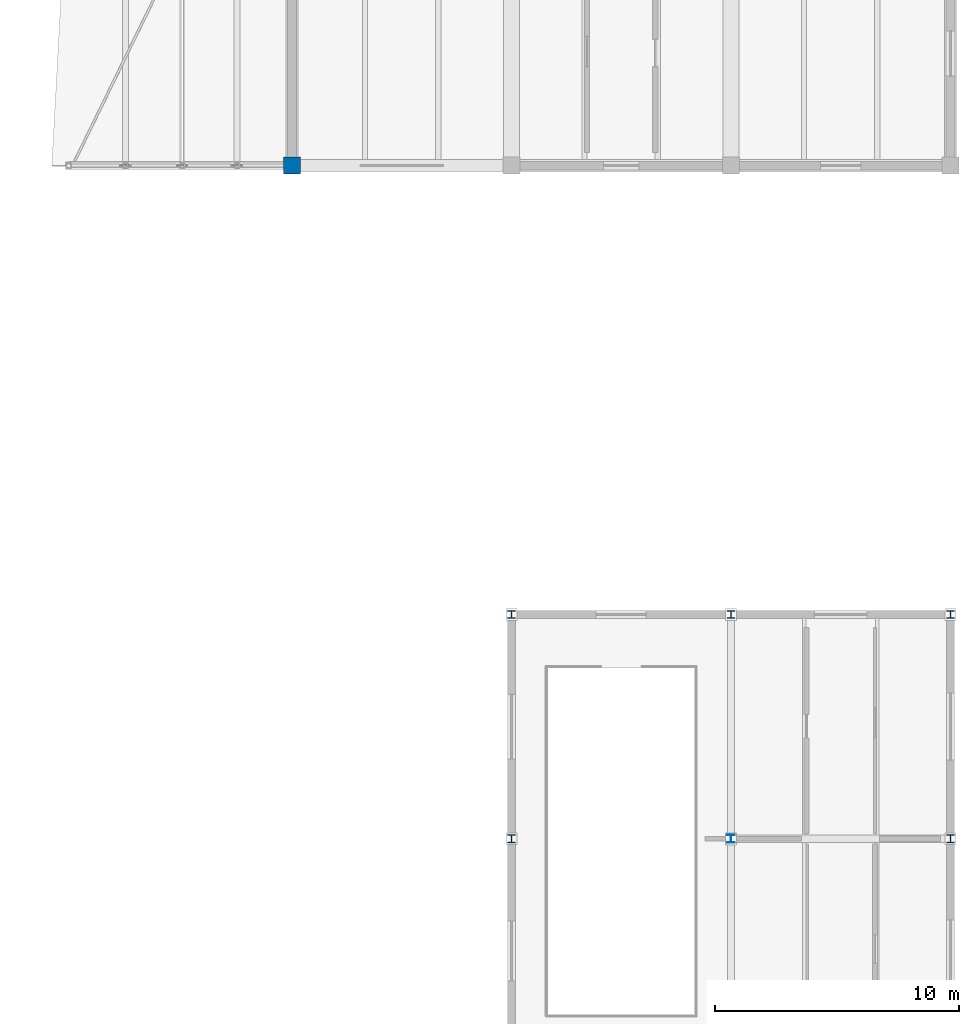
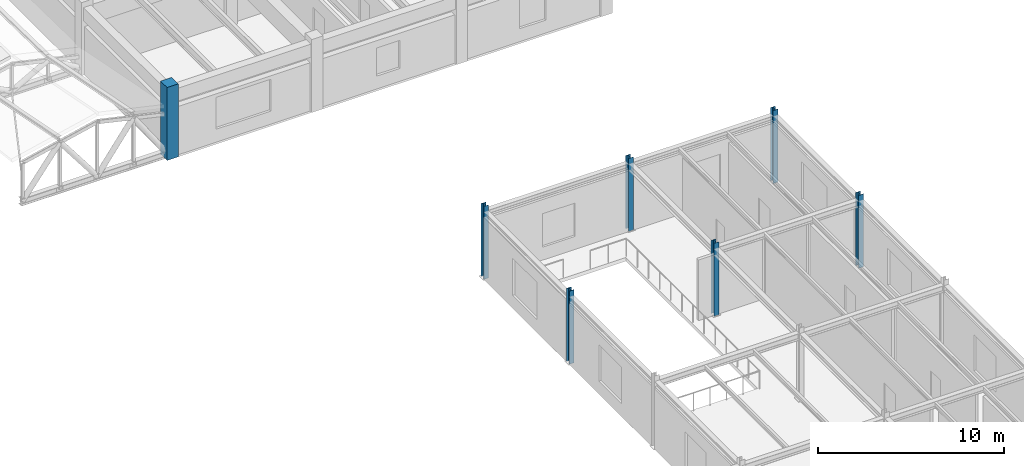
# One storey, part 11 of 90: 7 columns.
"""IFC4 building model written with IfcOpenShell, lengths in metres."""

from ifc_helpers import new_model, si_unit, direction, frame, origin, origin_2d, place, context, subcontext, project, spatial, rectangle, i_section, extrude, material, material_profile, profile_set, type_object, element, save


model = new_model("IFC4")

# Units and contexts
model_context = context("Model", 3, precision=1e-05, world=origin(), true_north=direction((0.0, 1.0)))
body_context = subcontext(model_context, "Body", "Model", "MODEL_VIEW")
ifc_project = project(units=[si_unit("LENGTHUNIT", "METRE"), si_unit("AREAUNIT", "SQUARE_METRE"), si_unit("VOLUMEUNIT", "CUBIC_METRE"), si_unit("PLANEANGLEUNIT", "RADIAN"), si_unit("MASSUNIT", "GRAM", prefix="KILO")], contexts=[model_context])

# Site, building, storey
site_placement = place(None, origin())
site = spatial("IfcSite", under=ifc_project, at=site_placement, CompositionType="ELEMENT")
building_placement = place(site_placement, origin())
building = spatial("IfcBuilding", under=site, at=building_placement, Name="Bozkorgan Art Gallery", CompositionType="ELEMENT")
storey_placement = place(building_placement, frame((0.0, 0.0, 5.39990234375)))
storey = spatial("IfcBuildingStorey", under=building, at=storey_placement, Name="L01", CompositionType="ELEMENT", Elevation=5.39990234375)

# Columns
ifc_material_1 = material(Name="Concrete C40/50", Category="concrete")
ifc_material_profile_1 = material_profile(ifc_material_1, rectangle(XDim=0.699951171875, YDim=0.699951171875, at=origin_2d()), Name="RC 700x700")
ifc_profile_set_1 = profile_set([ifc_material_profile_1], Name="Concrete C40/50")
column_type_1 = type_object("IfcColumnType", Name="COLUMN-C-73", PredefinedType="COLUMN", material=ifc_profile_set_1)
column_1_placement = place(storey_placement, frame((137.0, 66.0, 0.0), z_axis=(0.0, 0.0, 1.0), x_axis=(1.0, 0.0, 0.0)))
element("IfcColumn", 1, at=column_1_placement, inside=storey, type_object=column_type_1, Name="V5 L01 column (137.0, 66.0)", PredefinedType="COLUMN", context=body_context, shape_type="SweptSolid", body=[
    extrude(rectangle(XDim=0.699951171875, YDim=0.699951171875, at=origin_2d()), origin(), (0.0, 0.0, 1.0), 4.800048828125),
])
ifc_material_2 = material(Name="Steel S355J2", Category="steel")
ifc_material_profile_2 = material_profile(ifc_material_2, i_section(OverallWidth=0.300048828125, OverallDepth=0.330078125, WebThickness=0.009521484375, FlangeThickness=0.0166015625, FilletRadius=0.027099609375, at=origin_2d()), Name="HEA 340")
ifc_profile_set_2 = profile_set([ifc_material_profile_2], Name="Steel S355J2")
column_type_2 = type_object("IfcColumnType", Name="COLUMN-C-82", PredefinedType="COLUMN", material=ifc_profile_set_2)
column_2_placement = place(storey_placement, frame((155.0, 38.39990234375, 0.0), z_axis=(0.0, 0.0, 1.0), x_axis=(1.0, 0.0, 0.0)))
element("IfcColumn", 2, at=column_2_placement, inside=storey, type_object=column_type_2, Name="V6 L01 column (155.0, 38.4)", PredefinedType="COLUMN", context=body_context, shape_type="SweptSolid", body=[
    extrude(i_section(OverallWidth=0.300048828125, OverallDepth=0.330078125, WebThickness=0.009521484375, FlangeThickness=0.0166015625, FilletRadius=0.027099609375, at=origin_2d()), origin(), (0.0, 0.0, 1.0), 4.800048828125),
])
ifc_material_profile_3 = material_profile(ifc_material_2, i_section(OverallWidth=0.300048828125, OverallDepth=0.320068359375, WebThickness=0.011474609375, FlangeThickness=0.0205078125, FilletRadius=0.027099609375, at=origin_2d()), Name="HEB 320")
ifc_profile_set_3 = profile_set([ifc_material_profile_3], Name="Steel S355J2")
column_type_3 = type_object("IfcColumnType", Name="COLUMN-C-96", PredefinedType="COLUMN", material=ifc_profile_set_3)
for number, where, z_axis, x_axis, name in (
    (3, (146.0, 38.39990234375, 0.0), (0.0, 0.0, 1.0), (1.0, 0.0, 0.0), "V6 L01 column (146.0, 38.4)"),
    (4, (146.0, 47.60009765625, 0.0), (0.0, 0.0, 1.0), (1.0, 0.0, 0.0), "V6 L01 column (146.0, 47.6)"),
    (5, (155.0, 47.60009765625, 0.0), (0.0, 0.0, 1.0), (1.0, 0.0, 0.0), "V6 L01 column (155.0, 47.6)"),
    (6, (164.0, 38.39990234375, 0.0), (0.0, 0.0, 1.0), (1.0, 0.0, 0.0), "V6 L01 column (164.0, 38.4)"),
    (7, (164.0, 47.60009765625, 0.0), (0.0, 0.0, 1.0), (1.0, 0.0, 0.0), "V6 L01 column (164.0, 47.6)"),
):
    element("IfcColumn", number, at=place(storey_placement, frame(where, z_axis=z_axis, x_axis=x_axis)), inside=storey, type_object=column_type_3, Name=name, PredefinedType="COLUMN", context=body_context, shape_type="SweptSolid", body=[
        extrude(i_section(OverallWidth=0.300048828125, OverallDepth=0.320068359375, WebThickness=0.011474609375, FlangeThickness=0.0205078125, FilletRadius=0.027099609375, at=origin_2d()), origin(), (0.0, 0.0, 1.0), 4.800048828125),
    ])

save(model, "model.ifc")
